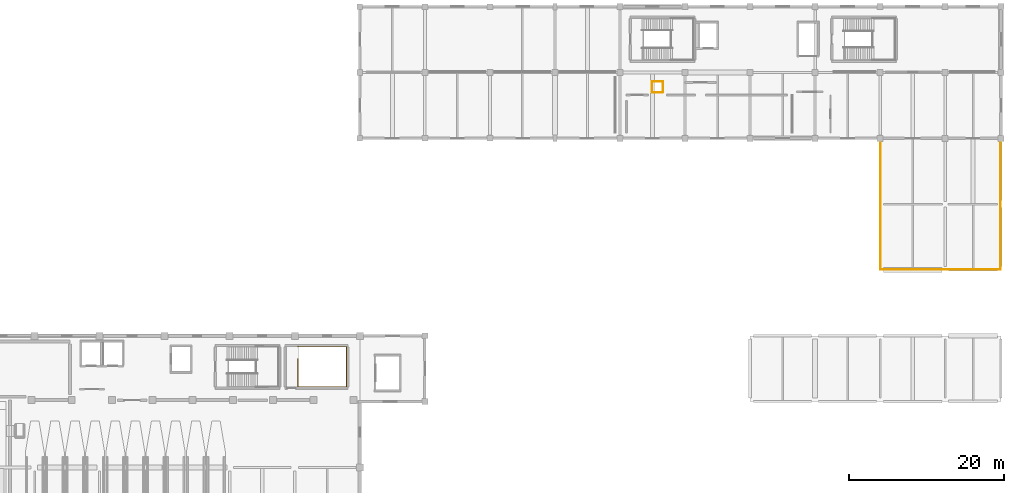
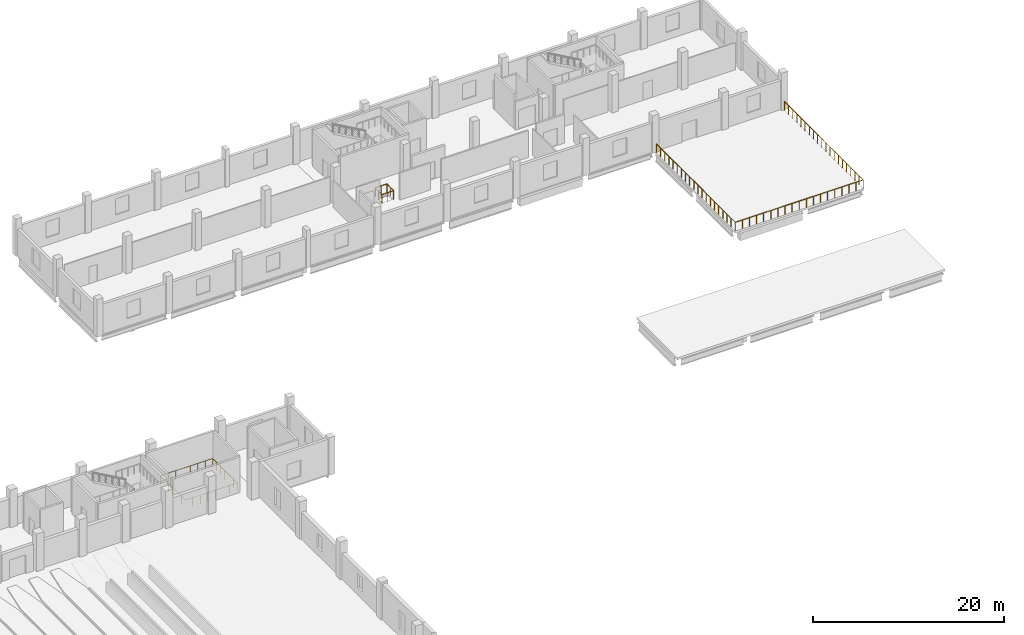
# One storey, part 115 of 117: 5 railings.
"""IFC4 building model written with IfcOpenShell, lengths in metres."""

from ifc_helpers import new_model, si_unit, direction, frame, origin, origin_2d, place, context, subcontext, project, spatial, circle, extrude, material, type_object, element, save


model = new_model("IFC4")

# Units and contexts
model_context = context("Model", 3, precision=1e-05, world=origin(), true_north=direction((0.0, 1.0)))
body_context = subcontext(model_context, "Body", "Model", "MODEL_VIEW")
ifc_project = project(units=[si_unit("LENGTHUNIT", "METRE"), si_unit("AREAUNIT", "SQUARE_METRE"), si_unit("VOLUMEUNIT", "CUBIC_METRE"), si_unit("PLANEANGLEUNIT", "RADIAN"), si_unit("MASSUNIT", "GRAM", prefix="KILO")], contexts=[model_context])

# Site, building, storey
site_placement = place(None, origin())
site = spatial("IfcSite", under=ifc_project, at=site_placement, CompositionType="ELEMENT")
building_placement = place(site_placement, origin())
building = spatial("IfcBuilding", under=site, at=building_placement, Name="Solvento Point Concert Hall", CompositionType="ELEMENT")
storey_placement = place(building_placement, frame((0.0, 0.0, 5.39990234375)))
storey = spatial("IfcBuildingStorey", under=building, at=storey_placement, Name="L01", CompositionType="ELEMENT", Elevation=5.39990234375)

# Railings
ifc_material_1 = material(Name="Brushed Stainless Steel Balustrade", Category="steel")
railing_type_1 = type_object("IfcRailingType", Name="StairWellGuard_1100", PredefinedType="BALUSTRADE", material=ifc_material_1)
railing_1_placement = place(storey_placement, frame((125.219970703125, 90.5, 0.0)))
element("IfcRailing", 1, at=railing_1_placement, inside=storey, type_object=railing_type_1, Name="Stairwell guard GR-02 VOM-04 L01", PredefinedType="BALUSTRADE", context=body_context, shape_type="SweptSolid", body=[
    extrude(circle(Radius=0.02392578125, at=origin_2d()), frame((0.0, 0.0, 1.09619140625), z_axis=(0.0, -1.0, 0.0), x_axis=(1.0, 0.0, 0.0)), (0.0, 0.0, 1.0), 3.580078125),
    extrude(circle(Radius=0.02392578125, at=origin_2d()), frame((0.0, -3.580078125, 1.09619140625), z_axis=(1.0, 0.0, 0.0), x_axis=(0.0, 1.0, 0.0)), (0.0, 0.0, 1.0), 6.260009765625),
    extrude(circle(Radius=0.02392578125, at=origin_2d()), frame((6.260009765625, -3.580078125, 1.09619140625), z_axis=(0.0, 1.0, 0.0), x_axis=(-1.0, 0.0, 0.0)), (0.0, 0.0, 1.0), 5.16015625),
    extrude(circle(Radius=0.02392578125, at=origin_2d()), frame((6.260009765625, 1.580078125, 1.09619140625), z_axis=(-1.0, 0.0, 0.0), x_axis=(0.0, -1.0, 0.0)), (0.0, 0.0, 1.0), 6.260009765625),
    extrude(circle(Radius=0.02392578125, at=origin_2d()), frame((0.0, 1.580078125, 1.09619140625), z_axis=(0.0, 1.0, 0.0), x_axis=(-1.0, 0.0, 0.0)), (0.0, 0.0, 1.0), 0.02001953125),
    extrude(circle(Radius=0.02099609375, at=origin_2d()), origin(), (0.0, 0.0, 1.0), 1.072021484375),
    extrude(circle(Radius=0.02099609375, at=origin_2d()), frame((0.0, -0.89501953125, 0.0)), (0.0, 0.0, 1.0), 1.072021484375),
    extrude(circle(Radius=0.02099609375, at=origin_2d()), frame((0.0, -1.7900390625, 0.0)), (0.0, 0.0, 1.0), 1.072021484375),
    extrude(circle(Radius=0.02099609375, at=origin_2d()), frame((0.0, -2.68505859375, 0.0)), (0.0, 0.0, 1.0), 1.072021484375),
    extrude(circle(Radius=0.02099609375, at=origin_2d()), frame((0.0, -3.580078125, 0.0)), (0.0, 0.0, 1.0), 1.072021484375),
    extrude(circle(Radius=0.02099609375, at=origin_2d()), frame((0.894287109375, -3.580078125, 0.0)), (0.0, 0.0, 1.0), 1.072021484375),
    extrude(circle(Radius=0.02099609375, at=origin_2d()), frame((1.78857421875, -3.580078125, 0.0)), (0.0, 0.0, 1.0), 1.072021484375),
    extrude(circle(Radius=0.02099609375, at=origin_2d()), frame((2.682861328125, -3.580078125, 0.0)), (0.0, 0.0, 1.0), 1.072021484375),
    extrude(circle(Radius=0.02099609375, at=origin_2d()), frame((3.5771484375, -3.580078125, 0.0)), (0.0, 0.0, 1.0), 1.072021484375),
    extrude(circle(Radius=0.02099609375, at=origin_2d()), frame((4.471435546875, -3.580078125, 0.0)), (0.0, 0.0, 1.0), 1.072021484375),
    extrude(circle(Radius=0.02099609375, at=origin_2d()), frame((5.36572265625, -3.580078125, 0.0)), (0.0, 0.0, 1.0), 1.072021484375),
    extrude(circle(Radius=0.02099609375, at=origin_2d()), frame((6.260009765625, -3.580078125, 0.0)), (0.0, 0.0, 1.0), 1.072021484375),
    extrude(circle(Radius=0.02099609375, at=origin_2d()), frame((6.260009765625, -2.719970703125, 0.0)), (0.0, 0.0, 1.0), 1.072021484375),
    extrude(circle(Radius=0.02099609375, at=origin_2d()), frame((6.260009765625, -1.860107421875, 0.0)), (0.0, 0.0, 1.0), 1.072021484375),
    extrude(circle(Radius=0.02099609375, at=origin_2d()), frame((6.260009765625, -1.0, 0.0)), (0.0, 0.0, 1.0), 1.072021484375),
    extrude(circle(Radius=0.02099609375, at=origin_2d()), frame((6.260009765625, -0.139892578125, 0.0)), (0.0, 0.0, 1.0), 1.072021484375),
    extrude(circle(Radius=0.02099609375, at=origin_2d()), frame((6.260009765625, 0.719970703125, 0.0)), (0.0, 0.0, 1.0), 1.072021484375),
    extrude(circle(Radius=0.02099609375, at=origin_2d()), frame((6.260009765625, 1.580078125, 0.0)), (0.0, 0.0, 1.0), 1.072021484375),
    extrude(circle(Radius=0.02099609375, at=origin_2d()), frame((5.36572265625, 1.580078125, 0.0)), (0.0, 0.0, 1.0), 1.072021484375),
    extrude(circle(Radius=0.02099609375, at=origin_2d()), frame((4.471435546875, 1.580078125, 0.0)), (0.0, 0.0, 1.0), 1.072021484375),
    extrude(circle(Radius=0.02099609375, at=origin_2d()), frame((3.5771484375, 1.580078125, 0.0)), (0.0, 0.0, 1.0), 1.072021484375),
    extrude(circle(Radius=0.02099609375, at=origin_2d()), frame((2.682861328125, 1.580078125, 0.0)), (0.0, 0.0, 1.0), 1.072021484375),
    extrude(circle(Radius=0.02099609375, at=origin_2d()), frame((1.78857421875, 1.580078125, 0.0)), (0.0, 0.0, 1.0), 1.072021484375),
    extrude(circle(Radius=0.02099609375, at=origin_2d()), frame((0.894287109375, 1.580078125, 0.0)), (0.0, 0.0, 1.0), 1.072021484375),
    extrude(circle(Radius=0.02099609375, at=origin_2d()), frame((0.0, 1.580078125, 0.0)), (0.0, 0.0, 1.0), 1.072021484375),
    extrude(circle(Radius=0.02099609375, at=origin_2d()), frame((0.0, 1.60009765625, 0.0)), (0.0, 0.0, 1.0), 1.072021484375),
])
ifc_material_2 = material(Name="Brushed Stainless Steel Balustrade", Category="steel")
railing_type_2 = type_object("IfcRailingType", Name="TerraceBalustrade_1100", PredefinedType="BALUSTRADE", material=ifc_material_2)
railing_2_placement = place(storey_placement, frame((200.4599609375, 102.06005859375, 0.0)))
element("IfcRailing", 2, at=railing_2_placement, inside=storey, type_object=railing_type_2, Name="Guard balustrade GR-01 L01", PredefinedType="BALUSTRADE", context=body_context, shape_type="SweptSolid", body=[
    extrude(circle(Radius=0.02392578125, at=origin_2d()), frame((0.0, 0.0, 1.09619140625), z_axis=(0.0, 1.0, 0.0), x_axis=(-1.0, 0.0, 0.0)), (0.0, 0.0, 1.0), 16.5),
    extrude(circle(Radius=0.02099609375, at=origin_2d()), origin(), (0.0, 0.0, 1.0), 1.072021484375),
    extrude(circle(Radius=0.02099609375, at=origin_2d()), frame((0.0, 0.868408203125, 0.0)), (0.0, 0.0, 1.0), 1.072021484375),
    extrude(circle(Radius=0.02099609375, at=origin_2d()), frame((0.0, 1.73681640625, 0.0)), (0.0, 0.0, 1.0), 1.072021484375),
    extrude(circle(Radius=0.02099609375, at=origin_2d()), frame((0.0, 2.605224609375, 0.0)), (0.0, 0.0, 1.0), 1.072021484375),
    extrude(circle(Radius=0.02099609375, at=origin_2d()), frame((0.0, 3.4736328125, 0.0)), (0.0, 0.0, 1.0), 1.072021484375),
    extrude(circle(Radius=0.02099609375, at=origin_2d()), frame((0.0, 4.342041015625, 0.0)), (0.0, 0.0, 1.0), 1.072021484375),
    extrude(circle(Radius=0.02099609375, at=origin_2d()), frame((0.0, 5.21044921875, 0.0)), (0.0, 0.0, 1.0), 1.072021484375),
    extrude(circle(Radius=0.02099609375, at=origin_2d()), frame((0.0, 6.078857421875, 0.0)), (0.0, 0.0, 1.0), 1.072021484375),
    extrude(circle(Radius=0.02099609375, at=origin_2d()), frame((0.0, 6.947265625, 0.0)), (0.0, 0.0, 1.0), 1.072021484375),
    extrude(circle(Radius=0.02099609375, at=origin_2d()), frame((0.0, 7.815673828125, 0.0)), (0.0, 0.0, 1.0), 1.072021484375),
    extrude(circle(Radius=0.02099609375, at=origin_2d()), frame((0.0, 8.684326171875, 0.0)), (0.0, 0.0, 1.0), 1.072021484375),
    extrude(circle(Radius=0.02099609375, at=origin_2d()), frame((0.0, 9.552734375, 0.0)), (0.0, 0.0, 1.0), 1.072021484375),
    extrude(circle(Radius=0.02099609375, at=origin_2d()), frame((0.0, 10.421142578125, 0.0)), (0.0, 0.0, 1.0), 1.072021484375),
    extrude(circle(Radius=0.02099609375, at=origin_2d()), frame((0.0, 11.28955078125, 0.0)), (0.0, 0.0, 1.0), 1.072021484375),
    extrude(circle(Radius=0.02099609375, at=origin_2d()), frame((0.0, 12.157958984375, 0.0)), (0.0, 0.0, 1.0), 1.072021484375),
    extrude(circle(Radius=0.02099609375, at=origin_2d()), frame((0.0, 13.0263671875, 0.0)), (0.0, 0.0, 1.0), 1.072021484375),
    extrude(circle(Radius=0.02099609375, at=origin_2d()), frame((0.0, 13.894775390625, 0.0)), (0.0, 0.0, 1.0), 1.072021484375),
    extrude(circle(Radius=0.02099609375, at=origin_2d()), frame((0.0, 14.76318359375, 0.0)), (0.0, 0.0, 1.0), 1.072021484375),
    extrude(circle(Radius=0.02099609375, at=origin_2d()), frame((0.0, 15.631591796875, 0.0)), (0.0, 0.0, 1.0), 1.072021484375),
    extrude(circle(Radius=0.02099609375, at=origin_2d()), frame((0.0, 16.5, 0.0)), (0.0, 0.0, 1.0), 1.072021484375),
])
railing_3_placement = place(storey_placement, frame((215.93994140625, 118.56005859375, 0.0)))
element("IfcRailing", 3, at=railing_3_placement, inside=storey, type_object=railing_type_2, Name="Guard balustrade GR-01 L01", PredefinedType="BALUSTRADE", context=body_context, shape_type="SweptSolid", body=[
    extrude(circle(Radius=0.02392578125, at=origin_2d()), frame((0.0, 0.0, 1.09619140625), z_axis=(0.0, -1.0, 0.0), x_axis=(1.0, 0.0, 0.0)), (0.0, 0.0, 1.0), 16.5),
    extrude(circle(Radius=0.02392578125, at=origin_2d()), frame((0.0, -16.5, 1.09619140625), z_axis=(-1.0, 0.0, 0.0), x_axis=(0.0, -1.0, 0.0)), (0.0, 0.0, 1.0), 15.47998046875),
    extrude(circle(Radius=0.02099609375, at=origin_2d()), origin(), (0.0, 0.0, 1.0), 1.072021484375),
    extrude(circle(Radius=0.02099609375, at=origin_2d()), frame((0.0, -0.868408203125, 0.0)), (0.0, 0.0, 1.0), 1.072021484375),
    extrude(circle(Radius=0.02099609375, at=origin_2d()), frame((0.0, -1.73681640625, 0.0)), (0.0, 0.0, 1.0), 1.072021484375),
    extrude(circle(Radius=0.02099609375, at=origin_2d()), frame((0.0, -2.605224609375, 0.0)), (0.0, 0.0, 1.0), 1.072021484375),
    extrude(circle(Radius=0.02099609375, at=origin_2d()), frame((0.0, -3.4736328125, 0.0)), (0.0, 0.0, 1.0), 1.072021484375),
    extrude(circle(Radius=0.02099609375, at=origin_2d()), frame((0.0, -4.342041015625, 0.0)), (0.0, 0.0, 1.0), 1.072021484375),
    extrude(circle(Radius=0.02099609375, at=origin_2d()), frame((0.0, -5.21044921875, 0.0)), (0.0, 0.0, 1.0), 1.072021484375),
    extrude(circle(Radius=0.02099609375, at=origin_2d()), frame((0.0, -6.078857421875, 0.0)), (0.0, 0.0, 1.0), 1.072021484375),
    extrude(circle(Radius=0.02099609375, at=origin_2d()), frame((0.0, -6.947265625, 0.0)), (0.0, 0.0, 1.0), 1.072021484375),
    extrude(circle(Radius=0.02099609375, at=origin_2d()), frame((0.0, -7.815673828125, 0.0)), (0.0, 0.0, 1.0), 1.072021484375),
    extrude(circle(Radius=0.02099609375, at=origin_2d()), frame((0.0, -8.684326171875, 0.0)), (0.0, 0.0, 1.0), 1.072021484375),
    extrude(circle(Radius=0.02099609375, at=origin_2d()), frame((0.0, -9.552734375, 0.0)), (0.0, 0.0, 1.0), 1.072021484375),
    extrude(circle(Radius=0.02099609375, at=origin_2d()), frame((0.0, -10.421142578125, 0.0)), (0.0, 0.0, 1.0), 1.072021484375),
    extrude(circle(Radius=0.02099609375, at=origin_2d()), frame((0.0, -11.28955078125, 0.0)), (0.0, 0.0, 1.0), 1.072021484375),
    extrude(circle(Radius=0.02099609375, at=origin_2d()), frame((0.0, -12.157958984375, 0.0)), (0.0, 0.0, 1.0), 1.072021484375),
    extrude(circle(Radius=0.02099609375, at=origin_2d()), frame((0.0, -13.0263671875, 0.0)), (0.0, 0.0, 1.0), 1.072021484375),
    extrude(circle(Radius=0.02099609375, at=origin_2d()), frame((0.0, -13.894775390625, 0.0)), (0.0, 0.0, 1.0), 1.072021484375),
    extrude(circle(Radius=0.02099609375, at=origin_2d()), frame((0.0, -14.76318359375, 0.0)), (0.0, 0.0, 1.0), 1.072021484375),
    extrude(circle(Radius=0.02099609375, at=origin_2d()), frame((0.0, -15.631591796875, 0.0)), (0.0, 0.0, 1.0), 1.072021484375),
    extrude(circle(Radius=0.02099609375, at=origin_2d()), frame((0.0, -16.5, 0.0)), (0.0, 0.0, 1.0), 1.072021484375),
    extrude(circle(Radius=0.02099609375, at=origin_2d()), frame((-0.860107421875, -16.5, 0.0)), (0.0, 0.0, 1.0), 1.072021484375),
    extrude(circle(Radius=0.02099609375, at=origin_2d()), frame((-1.719970703125, -16.5, 0.0)), (0.0, 0.0, 1.0), 1.072021484375),
    extrude(circle(Radius=0.02099609375, at=origin_2d()), frame((-2.580078125, -16.5, 0.0)), (0.0, 0.0, 1.0), 1.072021484375),
    extrude(circle(Radius=0.02099609375, at=origin_2d()), frame((-3.43994140625, -16.5, 0.0)), (0.0, 0.0, 1.0), 1.072021484375),
    extrude(circle(Radius=0.02099609375, at=origin_2d()), frame((-4.300048828125, -16.5, 0.0)), (0.0, 0.0, 1.0), 1.072021484375),
    extrude(circle(Radius=0.02099609375, at=origin_2d()), frame((-5.159912109375, -16.5, 0.0)), (0.0, 0.0, 1.0), 1.072021484375),
    extrude(circle(Radius=0.02099609375, at=origin_2d()), frame((-6.02001953125, -16.5, 0.0)), (0.0, 0.0, 1.0), 1.072021484375),
    extrude(circle(Radius=0.02099609375, at=origin_2d()), frame((-6.8798828125, -16.5, 0.0)), (0.0, 0.0, 1.0), 1.072021484375),
    extrude(circle(Radius=0.02099609375, at=origin_2d()), frame((-7.739990234375, -16.5, 0.0)), (0.0, 0.0, 1.0), 1.072021484375),
    extrude(circle(Radius=0.02099609375, at=origin_2d()), frame((-8.60009765625, -16.5, 0.0)), (0.0, 0.0, 1.0), 1.072021484375),
    extrude(circle(Radius=0.02099609375, at=origin_2d()), frame((-9.4599609375, -16.5, 0.0)), (0.0, 0.0, 1.0), 1.072021484375),
    extrude(circle(Radius=0.02099609375, at=origin_2d()), frame((-10.320068359375, -16.5, 0.0)), (0.0, 0.0, 1.0), 1.072021484375),
    extrude(circle(Radius=0.02099609375, at=origin_2d()), frame((-11.179931640625, -16.5, 0.0)), (0.0, 0.0, 1.0), 1.072021484375),
    extrude(circle(Radius=0.02099609375, at=origin_2d()), frame((-12.0400390625, -16.5, 0.0)), (0.0, 0.0, 1.0), 1.072021484375),
    extrude(circle(Radius=0.02099609375, at=origin_2d()), frame((-12.89990234375, -16.5, 0.0)), (0.0, 0.0, 1.0), 1.072021484375),
    extrude(circle(Radius=0.02099609375, at=origin_2d()), frame((-13.760009765625, -16.5, 0.0)), (0.0, 0.0, 1.0), 1.072021484375),
    extrude(circle(Radius=0.02099609375, at=origin_2d()), frame((-14.619873046875, -16.5, 0.0)), (0.0, 0.0, 1.0), 1.072021484375),
    extrude(circle(Radius=0.02099609375, at=origin_2d()), frame((-15.47998046875, -16.5, 0.0)), (0.0, 0.0, 1.0), 1.072021484375),
])
railing_4_placement = place(storey_placement, frame((172.360107421875, 124.969970703125, 0.0)))
element("IfcRailing", 4, at=railing_4_placement, inside=storey, type_object=railing_type_2, Name="Guard balustrade GR-01 L01", PredefinedType="BALUSTRADE", context=body_context, shape_type="SweptSolid", body=[
    extrude(circle(Radius=0.02392578125, at=origin_2d()), frame((0.0, 0.0, 1.09619140625), z_axis=(0.0, 1.0, 0.0), x_axis=(-1.0, 0.0, 0.0)), (0.0, 0.0, 1.0), 1.39013671875),
    extrude(circle(Radius=0.02392578125, at=origin_2d()), frame((0.0, 1.39013671875, 1.09619140625), z_axis=(-1.0, 0.0, 0.0), x_axis=(0.0, -1.0, 0.0)), (0.0, 0.0, 1.0), 1.39013671875),
    extrude(circle(Radius=0.02099609375, at=origin_2d()), origin(), (0.0, 0.0, 1.0), 1.072021484375),
    extrude(circle(Radius=0.02099609375, at=origin_2d()), frame((0.0, 0.695068359375, 0.0)), (0.0, 0.0, 1.0), 1.072021484375),
    extrude(circle(Radius=0.02099609375, at=origin_2d()), frame((0.0, 1.39013671875, 0.0)), (0.0, 0.0, 1.0), 1.072021484375),
    extrude(circle(Radius=0.02099609375, at=origin_2d()), frame((-0.695068359375, 1.39013671875, 0.0)), (0.0, 0.0, 1.0), 1.072021484375),
    extrude(circle(Radius=0.02099609375, at=origin_2d()), frame((-1.39013671875, 1.39013671875, 0.0)), (0.0, 0.0, 1.0), 1.072021484375),
])
railing_5_placement = place(storey_placement, frame((170.93994140625, 126.330078125, 0.0)))
element("IfcRailing", 5, at=railing_5_placement, inside=storey, type_object=railing_type_2, Name="Guard balustrade GR-01 L01", PredefinedType="BALUSTRADE", context=body_context, shape_type="SweptSolid", body=[
    extrude(circle(Radius=0.02392578125, at=origin_2d()), frame((0.0, 0.0, 1.09619140625), z_axis=(0.0, -1.0, 0.0), x_axis=(1.0, 0.0, 0.0)), (0.0, 0.0, 1.0), 1.39013671875),
    extrude(circle(Radius=0.02392578125, at=origin_2d()), frame((0.0, -1.39013671875, 1.09619140625), z_axis=(1.0, 0.0, 0.0), x_axis=(0.0, 1.0, 0.0)), (0.0, 0.0, 1.0), 1.39013671875),
    extrude(circle(Radius=0.02099609375, at=origin_2d()), origin(), (0.0, 0.0, 1.0), 1.072021484375),
    extrude(circle(Radius=0.02099609375, at=origin_2d()), frame((0.0, -0.695068359375, 0.0)), (0.0, 0.0, 1.0), 1.072021484375),
    extrude(circle(Radius=0.02099609375, at=origin_2d()), frame((0.0, -1.39013671875, 0.0)), (0.0, 0.0, 1.0), 1.072021484375),
    extrude(circle(Radius=0.02099609375, at=origin_2d()), frame((0.695068359375, -1.39013671875, 0.0)), (0.0, 0.0, 1.0), 1.072021484375),
    extrude(circle(Radius=0.02099609375, at=origin_2d()), frame((1.39013671875, -1.39013671875, 0.0)), (0.0, 0.0, 1.0), 1.072021484375),
])

save(model, "model.ifc")
